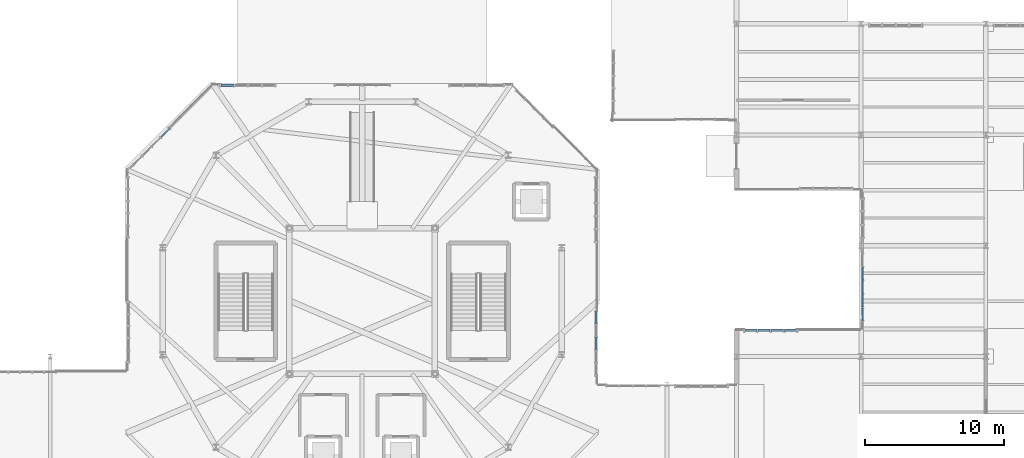
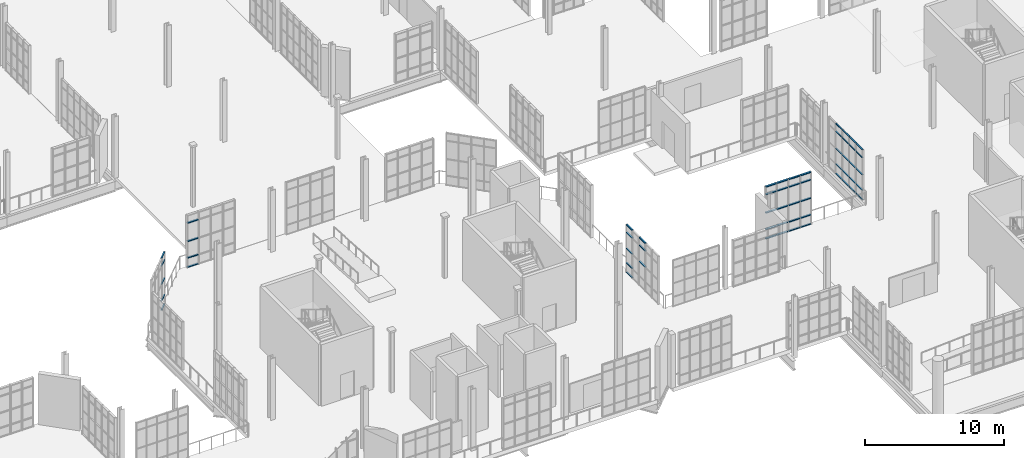
# One storey, part 124 of 189: 57 members, 5 elements without a shape of their own.
"""IFC4 building model written with IfcOpenShell, lengths in metres."""

from ifc_helpers import new_model, si_unit, direction, frame, origin, origin_2d, place, context, subcontext, project, spatial, hollow_rectangle, extrude, material, layer, layer_set, material_profile, profile_set, type_object, element, aggregate, save


model = new_model("IFC4")

# Units and contexts
model_context = context("Model", 3, precision=1e-05, world=origin(), true_north=direction((0.0, 1.0)))
body_context = subcontext(model_context, "Body", "Model", "MODEL_VIEW")
ifc_project = project(units=[si_unit("LENGTHUNIT", "METRE"), si_unit("AREAUNIT", "SQUARE_METRE"), si_unit("VOLUMEUNIT", "CUBIC_METRE"), si_unit("PLANEANGLEUNIT", "RADIAN"), si_unit("MASSUNIT", "GRAM", prefix="KILO"), si_unit("THERMODYNAMICTEMPERATUREUNIT", "KELVIN"), si_unit("POWERUNIT", "WATT")], contexts=[model_context])

# Site, building, storey
site_placement = place(None, origin())
site = spatial("IfcSite", under=ifc_project, at=site_placement, CompositionType="ELEMENT")
building_placement = place(site_placement, origin())
building = spatial("IfcBuilding", under=site, at=building_placement, Name="Zelmaris Science Centre", CompositionType="ELEMENT")
storey_placement = place(building_placement, origin())
storey = spatial("IfcBuildingStorey", under=building, at=storey_placement, Name="L00", CompositionType="ELEMENT", Elevation=0.0)

# Curtain wall, members
ifc_material = material(Name="Anodised architectural aluminium 6063-T6", Category="aluminium")
ifc_layer_1 = layer(ifc_material, 0.219970703125, Name="Anodised architectural aluminium 6063-T6")
ifc_layer_set_1 = layer_set([ifc_layer_1], Name="Anodised architectural aluminium 6063-T6")
curtain_wall_type_1 = type_object("IfcCurtainWallType", Name="Curtain Wall CW-04", PredefinedType="USERDEFINED", material=ifc_layer_set_1)
curtain_wall_1_placement = place(storey_placement, origin())
curtain_wall_1 = element("IfcCurtainWall", 1, at=curtain_wall_1_placement, inside=storey, type_object=curtain_wall_type_1, Name="L00 Unitised curtain wall 52", ObjectType="GLAZED CURTAIN WALL", PredefinedType="USERDEFINED")
ifc_material_profile_1 = material_profile(ifc_material, hollow_rectangle(XDim=0.06005859375, YDim=0.110107421875, WallThickness=0.0029296875, at=origin_2d()), Name="ALU-TRN-60X110")
ifc_profile_set_1 = profile_set([ifc_material_profile_1], Name="Anodised architectural aluminium 6063-T6")
member_type_1 = type_object("IfcMemberType", Name="ALU-TRN-60X110", PredefinedType="USERDEFINED", material=ifc_profile_set_1)
member_1_placement = place(storey_placement, frame((66.492431640625, 47.822021484375, 0.010986328125), z_axis=(0.707106781187, 0.707106781187, 0.0), x_axis=(0.0, 0.0, 1.0)))
member_1 = element("IfcMember", 2, at=member_1_placement, type_object=member_type_1, Name="CW-04 transom 4.1", ObjectType="TRANSOM", PredefinedType="USERDEFINED", context=body_context, shape_type="SweptSolid", body=[
    extrude(hollow_rectangle(XDim=0.06005859375, YDim=0.110107421875, WallThickness=0.0029296875, at=origin_2d()), origin(), (0.0, 0.0, 1.0), 0.868408203125),
])
member_2_placement = place(storey_placement, frame((66.492431640625, 47.822021484375, 0.8349609375), z_axis=(0.707106781187, 0.707106781187, 0.0), x_axis=(0.0, 0.0, 1.0)))
member_2 = element("IfcMember", 3, at=member_2_placement, type_object=member_type_1, Name="CW-04 transom 4.2", ObjectType="TRANSOM", PredefinedType="USERDEFINED", context=body_context, shape_type="SweptSolid", body=[
    extrude(hollow_rectangle(XDim=0.06005859375, YDim=0.110107421875, WallThickness=0.0029296875, at=origin_2d()), origin(), (0.0, 0.0, 1.0), 0.868408203125),
])
member_3_placement = place(storey_placement, frame((66.492431640625, 47.822021484375, 2.29248046875), z_axis=(0.707106781187, 0.707106781187, 0.0), x_axis=(0.0, 0.0, 1.0)))
member_3 = element("IfcMember", 4, at=member_3_placement, type_object=member_type_1, Name="CW-04 transom 4.3", ObjectType="TRANSOM", PredefinedType="USERDEFINED", context=body_context, shape_type="SweptSolid", body=[
    extrude(hollow_rectangle(XDim=0.06005859375, YDim=0.110107421875, WallThickness=0.0029296875, at=origin_2d()), origin(), (0.0, 0.0, 1.0), 0.868408203125),
])
member_4_placement = place(storey_placement, frame((66.492431640625, 47.822021484375, 3.89990234375), z_axis=(0.707106781187, 0.707106781187, 0.0), x_axis=(0.0, 0.0, 1.0)))
member_4 = element("IfcMember", 5, at=member_4_placement, type_object=member_type_1, Name="CW-04 transom 4.4", ObjectType="TRANSOM", PredefinedType="USERDEFINED", context=body_context, shape_type="SweptSolid", body=[
    extrude(hollow_rectangle(XDim=0.06005859375, YDim=0.110107421875, WallThickness=0.0029296875, at=origin_2d()), origin(), (0.0, 0.0, 1.0), 0.868408203125),
])
member_5_placement = place(storey_placement, frame((66.492431640625, 47.822021484375, 4.573974609375), z_axis=(0.707106781187, 0.707106781187, 0.0), x_axis=(0.0, 0.0, 1.0)))
member_5 = element("IfcMember", 6, at=member_5_placement, type_object=member_type_1, Name="CW-04 transom 4.5", ObjectType="TRANSOM", PredefinedType="USERDEFINED", context=body_context, shape_type="SweptSolid", body=[
    extrude(hollow_rectangle(XDim=0.06005859375, YDim=0.110107421875, WallThickness=0.0029296875, at=origin_2d()), origin(), (0.0, 0.0, 1.0), 0.868408203125),
])
aggregate(curtain_wall_1, [member_1, member_2, member_3, member_4, member_5])

curtain_wall_2_placement = place(storey_placement, origin())
curtain_wall_2 = element("IfcCurtainWall", 7, at=curtain_wall_2_placement, inside=storey, type_object=curtain_wall_type_1, Name="L00 Unitised curtain wall 68", ObjectType="GLAZED CURTAIN WALL", PredefinedType="USERDEFINED")
member_6_placement = place(storey_placement, frame((117.109619140625, 34.61865234375, 0.010986328125), z_axis=(-0.000271076162, 0.999999963259, 0.0), x_axis=(0.0, 0.0, 1.0)))
member_6 = element("IfcMember", 8, at=member_6_placement, type_object=member_type_1, Name="CW-04 transom 1.1", ObjectType="TRANSOM", PredefinedType="USERDEFINED", context=body_context, shape_type="SweptSolid", body=[
    extrude(hollow_rectangle(XDim=0.06005859375, YDim=0.110107421875, WallThickness=0.0029296875, at=origin_2d()), origin(), (0.0, 0.0, 1.0), 0.900634765625),
])
member_7_placement = place(storey_placement, frame((117.109619140625, 34.61865234375, 0.8349609375), z_axis=(-0.000271076162, 0.999999963259, 0.0), x_axis=(0.0, 0.0, 1.0)))
member_7 = element("IfcMember", 9, at=member_7_placement, type_object=member_type_1, Name="CW-04 transom 1.2", ObjectType="TRANSOM", PredefinedType="USERDEFINED", context=body_context, shape_type="SweptSolid", body=[
    extrude(hollow_rectangle(XDim=0.06005859375, YDim=0.110107421875, WallThickness=0.0029296875, at=origin_2d()), origin(), (0.0, 0.0, 1.0), 0.900634765625),
])
member_8_placement = place(storey_placement, frame((117.109619140625, 34.61865234375, 2.196044921875), z_axis=(-0.000271076162, 0.999999963259, 0.0), x_axis=(0.0, 0.0, 1.0)))
member_8 = element("IfcMember", 10, at=member_8_placement, type_object=member_type_1, Name="CW-04 transom 1.3", ObjectType="TRANSOM", PredefinedType="USERDEFINED", context=body_context, shape_type="SweptSolid", body=[
    extrude(hollow_rectangle(XDim=0.06005859375, YDim=0.110107421875, WallThickness=0.0029296875, at=origin_2d()), origin(), (0.0, 0.0, 1.0), 0.900634765625),
])
member_9_placement = place(storey_placement, frame((117.109619140625, 34.61865234375, 3.70703125), z_axis=(-0.000271076162, 0.999999963259, 0.0), x_axis=(0.0, 0.0, 1.0)))
member_9 = element("IfcMember", 11, at=member_9_placement, type_object=member_type_1, Name="CW-04 transom 1.4", ObjectType="TRANSOM", PredefinedType="USERDEFINED", context=body_context, shape_type="SweptSolid", body=[
    extrude(hollow_rectangle(XDim=0.06005859375, YDim=0.110107421875, WallThickness=0.0029296875, at=origin_2d()), origin(), (0.0, 0.0, 1.0), 0.900634765625),
])
member_10_placement = place(storey_placement, frame((117.109619140625, 34.61865234375, 4.381103515625), z_axis=(-0.000271076162, 0.999999963259, 0.0), x_axis=(0.0, 0.0, 1.0)))
member_10 = element("IfcMember", 12, at=member_10_placement, type_object=member_type_1, Name="CW-04 transom 1.5", ObjectType="TRANSOM", PredefinedType="USERDEFINED", context=body_context, shape_type="SweptSolid", body=[
    extrude(hollow_rectangle(XDim=0.06005859375, YDim=0.110107421875, WallThickness=0.0029296875, at=origin_2d()), origin(), (0.0, 0.0, 1.0), 0.900634765625),
])
member_11_placement = place(storey_placement, frame((117.109375, 35.5712890625, 0.010986328125), z_axis=(-0.000263435186, 0.999999965301, 0.0), x_axis=(0.0, 0.0, 1.0)))
member_11 = element("IfcMember", 13, at=member_11_placement, type_object=member_type_1, Name="CW-04 transom 2.1", ObjectType="TRANSOM", PredefinedType="USERDEFINED", context=body_context, shape_type="SweptSolid", body=[
    extrude(hollow_rectangle(XDim=0.06005859375, YDim=0.110107421875, WallThickness=0.0029296875, at=origin_2d()), origin(), (0.0, 0.0, 1.0), 0.9267578125),
])
member_12_placement = place(storey_placement, frame((117.109375, 35.5712890625, 0.8349609375), z_axis=(-0.000263435186, 0.999999965301, 0.0), x_axis=(0.0, 0.0, 1.0)))
member_12 = element("IfcMember", 14, at=member_12_placement, type_object=member_type_1, Name="CW-04 transom 2.2", ObjectType="TRANSOM", PredefinedType="USERDEFINED", context=body_context, shape_type="SweptSolid", body=[
    extrude(hollow_rectangle(XDim=0.06005859375, YDim=0.110107421875, WallThickness=0.0029296875, at=origin_2d()), origin(), (0.0, 0.0, 1.0), 0.9267578125),
])
member_13_placement = place(storey_placement, frame((117.109375, 35.5712890625, 2.196044921875), z_axis=(-0.000263435186, 0.999999965301, 0.0), x_axis=(0.0, 0.0, 1.0)))
member_13 = element("IfcMember", 15, at=member_13_placement, type_object=member_type_1, Name="CW-04 transom 2.3", ObjectType="TRANSOM", PredefinedType="USERDEFINED", context=body_context, shape_type="SweptSolid", body=[
    extrude(hollow_rectangle(XDim=0.06005859375, YDim=0.110107421875, WallThickness=0.0029296875, at=origin_2d()), origin(), (0.0, 0.0, 1.0), 0.9267578125),
])
member_14_placement = place(storey_placement, frame((117.109375, 35.5712890625, 3.70703125), z_axis=(-0.000263435186, 0.999999965301, 0.0), x_axis=(0.0, 0.0, 1.0)))
member_14 = element("IfcMember", 16, at=member_14_placement, type_object=member_type_1, Name="CW-04 transom 2.4", ObjectType="TRANSOM", PredefinedType="USERDEFINED", context=body_context, shape_type="SweptSolid", body=[
    extrude(hollow_rectangle(XDim=0.06005859375, YDim=0.110107421875, WallThickness=0.0029296875, at=origin_2d()), origin(), (0.0, 0.0, 1.0), 0.9267578125),
])
member_15_placement = place(storey_placement, frame((117.109375, 35.5712890625, 4.381103515625), z_axis=(-0.000263435186, 0.999999965301, 0.0), x_axis=(0.0, 0.0, 1.0)))
member_15 = element("IfcMember", 17, at=member_15_placement, type_object=member_type_1, Name="CW-04 transom 2.5", ObjectType="TRANSOM", PredefinedType="USERDEFINED", context=body_context, shape_type="SweptSolid", body=[
    extrude(hollow_rectangle(XDim=0.06005859375, YDim=0.110107421875, WallThickness=0.0029296875, at=origin_2d()), origin(), (0.0, 0.0, 1.0), 0.9267578125),
])
member_16_placement = place(storey_placement, frame((117.109130859375, 36.550048828125, 0.010986328125), z_axis=(-0.000527009149, 0.999999861131, 0.0), x_axis=(0.0, 0.0, 1.0)))
member_16 = element("IfcMember", 18, at=member_16_placement, type_object=member_type_1, Name="CW-04 transom 3.1", ObjectType="TRANSOM", PredefinedType="USERDEFINED", context=body_context, shape_type="SweptSolid", body=[
    extrude(hollow_rectangle(XDim=0.06005859375, YDim=0.110107421875, WallThickness=0.0029296875, at=origin_2d()), origin(), (0.0, 0.0, 1.0), 0.926513671875),
])
member_17_placement = place(storey_placement, frame((117.109130859375, 36.550048828125, 0.8349609375), z_axis=(-0.000527009149, 0.999999861131, 0.0), x_axis=(0.0, 0.0, 1.0)))
member_17 = element("IfcMember", 19, at=member_17_placement, type_object=member_type_1, Name="CW-04 transom 3.2", ObjectType="TRANSOM", PredefinedType="USERDEFINED", context=body_context, shape_type="SweptSolid", body=[
    extrude(hollow_rectangle(XDim=0.06005859375, YDim=0.110107421875, WallThickness=0.0029296875, at=origin_2d()), origin(), (0.0, 0.0, 1.0), 0.926513671875),
])
member_18_placement = place(storey_placement, frame((117.109130859375, 36.550048828125, 2.196044921875), z_axis=(-0.000527009149, 0.999999861131, 0.0), x_axis=(0.0, 0.0, 1.0)))
member_18 = element("IfcMember", 20, at=member_18_placement, type_object=member_type_1, Name="CW-04 transom 3.3", ObjectType="TRANSOM", PredefinedType="USERDEFINED", context=body_context, shape_type="SweptSolid", body=[
    extrude(hollow_rectangle(XDim=0.06005859375, YDim=0.110107421875, WallThickness=0.0029296875, at=origin_2d()), origin(), (0.0, 0.0, 1.0), 0.926513671875),
])
member_19_placement = place(storey_placement, frame((117.109130859375, 36.550048828125, 3.70703125), z_axis=(-0.000527009149, 0.999999861131, 0.0), x_axis=(0.0, 0.0, 1.0)))
member_19 = element("IfcMember", 21, at=member_19_placement, type_object=member_type_1, Name="CW-04 transom 3.4", ObjectType="TRANSOM", PredefinedType="USERDEFINED", context=body_context, shape_type="SweptSolid", body=[
    extrude(hollow_rectangle(XDim=0.06005859375, YDim=0.110107421875, WallThickness=0.0029296875, at=origin_2d()), origin(), (0.0, 0.0, 1.0), 0.926513671875),
])
member_20_placement = place(storey_placement, frame((117.109130859375, 36.550048828125, 4.381103515625), z_axis=(-0.000527009149, 0.999999861131, 0.0), x_axis=(0.0, 0.0, 1.0)))
member_20 = element("IfcMember", 22, at=member_20_placement, type_object=member_type_1, Name="CW-04 transom 3.5", ObjectType="TRANSOM", PredefinedType="USERDEFINED", context=body_context, shape_type="SweptSolid", body=[
    extrude(hollow_rectangle(XDim=0.06005859375, YDim=0.110107421875, WallThickness=0.0029296875, at=origin_2d()), origin(), (0.0, 0.0, 1.0), 0.926513671875),
])
member_21_placement = place(storey_placement, frame((117.108642578125, 37.528564453125, 0.010986328125), z_axis=(-0.000263435186, 0.999999965301, 0.0), x_axis=(0.0, 0.0, 1.0)))
member_21 = element("IfcMember", 23, at=member_21_placement, type_object=member_type_1, Name="CW-04 transom 4.1", ObjectType="TRANSOM", PredefinedType="USERDEFINED", context=body_context, shape_type="SweptSolid", body=[
    extrude(hollow_rectangle(XDim=0.06005859375, YDim=0.110107421875, WallThickness=0.0029296875, at=origin_2d()), origin(), (0.0, 0.0, 1.0), 0.9267578125),
])
member_22_placement = place(storey_placement, frame((117.108642578125, 37.528564453125, 0.8349609375), z_axis=(-0.000263435186, 0.999999965301, 0.0), x_axis=(0.0, 0.0, 1.0)))
member_22 = element("IfcMember", 24, at=member_22_placement, type_object=member_type_1, Name="CW-04 transom 4.2", ObjectType="TRANSOM", PredefinedType="USERDEFINED", context=body_context, shape_type="SweptSolid", body=[
    extrude(hollow_rectangle(XDim=0.06005859375, YDim=0.110107421875, WallThickness=0.0029296875, at=origin_2d()), origin(), (0.0, 0.0, 1.0), 0.9267578125),
])
member_23_placement = place(storey_placement, frame((117.108642578125, 37.528564453125, 2.196044921875), z_axis=(-0.000263435186, 0.999999965301, 0.0), x_axis=(0.0, 0.0, 1.0)))
member_23 = element("IfcMember", 25, at=member_23_placement, type_object=member_type_1, Name="CW-04 transom 4.3", ObjectType="TRANSOM", PredefinedType="USERDEFINED", context=body_context, shape_type="SweptSolid", body=[
    extrude(hollow_rectangle(XDim=0.06005859375, YDim=0.110107421875, WallThickness=0.0029296875, at=origin_2d()), origin(), (0.0, 0.0, 1.0), 0.9267578125),
])
member_24_placement = place(storey_placement, frame((117.108642578125, 37.528564453125, 3.70703125), z_axis=(-0.000263435186, 0.999999965301, 0.0), x_axis=(0.0, 0.0, 1.0)))
member_24 = element("IfcMember", 26, at=member_24_placement, type_object=member_type_1, Name="CW-04 transom 4.4", ObjectType="TRANSOM", PredefinedType="USERDEFINED", context=body_context, shape_type="SweptSolid", body=[
    extrude(hollow_rectangle(XDim=0.06005859375, YDim=0.110107421875, WallThickness=0.0029296875, at=origin_2d()), origin(), (0.0, 0.0, 1.0), 0.9267578125),
])
member_25_placement = place(storey_placement, frame((117.108642578125, 37.528564453125, 4.381103515625), z_axis=(-0.000263435186, 0.999999965301, 0.0), x_axis=(0.0, 0.0, 1.0)))
member_25 = element("IfcMember", 27, at=member_25_placement, type_object=member_type_1, Name="CW-04 transom 4.5", ObjectType="TRANSOM", PredefinedType="USERDEFINED", context=body_context, shape_type="SweptSolid", body=[
    extrude(hollow_rectangle(XDim=0.06005859375, YDim=0.110107421875, WallThickness=0.0029296875, at=origin_2d()), origin(), (0.0, 0.0, 1.0), 0.9267578125),
])
aggregate(curtain_wall_2, [member_6, member_7, member_8, member_9, member_10, member_11, member_12, member_13, member_14, member_15, member_16, member_17, member_18, member_19, member_20, member_21, member_22, member_23, member_24, member_25])

ifc_layer_2 = layer(ifc_material, 0.2099609375, Name="Anodised architectural aluminium 6063-T6")
ifc_layer_set_2 = layer_set([ifc_layer_2], Name="Anodised architectural aluminium 6063-T6")
curtain_wall_type_2 = type_object("IfcCurtainWallType", Name="Curtain Wall CW-03", PredefinedType="USERDEFINED", material=ifc_layer_set_2)
curtain_wall_3_placement = place(storey_placement, origin())
curtain_wall_3 = element("IfcCurtainWall", 28, at=curtain_wall_3_placement, inside=storey, type_object=curtain_wall_type_2, Name="L00 Unitised curtain wall 63", ObjectType="GLAZED CURTAIN WALL", PredefinedType="USERDEFINED")
ifc_material_profile_2 = material_profile(ifc_material, hollow_rectangle(XDim=0.06494140625, YDim=0.1298828125, WallThickness=0.00341796875, at=origin_2d()), Name="ALU-TRN-65X130")
ifc_profile_set_2 = profile_set([ifc_material_profile_2], Name="Anodised architectural aluminium 6063-T6")
member_type_2 = type_object("IfcMemberType", Name="ALU-TRN-65X130", PredefinedType="USERDEFINED", material=ifc_profile_set_2)
member_26_placement = place(storey_placement, frame((97.8798828125, 35.249755859375, 0.013427734375), z_axis=(0.0, -1.0, 0.0), x_axis=(0.0, 0.0, 1.0)))
member_26 = element("IfcMember", 29, at=member_26_placement, type_object=member_type_2, Name="CW-03 transom 1.1", ObjectType="TRANSOM", PredefinedType="USERDEFINED", context=body_context, shape_type="SweptSolid", body=[
    extrude(hollow_rectangle(XDim=0.06494140625, YDim=0.1298828125, WallThickness=0.00341796875, at=origin_2d()), origin(), (0.0, 0.0, 1.0), 0.85595703125),
])
member_27_placement = place(storey_placement, frame((97.8798828125, 35.249755859375, 0.8349609375), z_axis=(0.0, -1.0, 0.0), x_axis=(0.0, 0.0, 1.0)))
member_27 = element("IfcMember", 30, at=member_27_placement, type_object=member_type_2, Name="CW-03 transom 1.2", ObjectType="TRANSOM", PredefinedType="USERDEFINED", context=body_context, shape_type="SweptSolid", body=[
    extrude(hollow_rectangle(XDim=0.06494140625, YDim=0.1298828125, WallThickness=0.00341796875, at=origin_2d()), origin(), (0.0, 0.0, 1.0), 0.85595703125),
])
member_28_placement = place(storey_placement, frame((97.8798828125, 35.249755859375, 2.096923828125), z_axis=(0.0, -1.0, 0.0), x_axis=(0.0, 0.0, 1.0)))
member_28 = element("IfcMember", 31, at=member_28_placement, type_object=member_type_2, Name="CW-03 transom 1.3", ObjectType="TRANSOM", PredefinedType="USERDEFINED", context=body_context, shape_type="SweptSolid", body=[
    extrude(hollow_rectangle(XDim=0.06494140625, YDim=0.1298828125, WallThickness=0.00341796875, at=origin_2d()), origin(), (0.0, 0.0, 1.0), 0.85595703125),
])
member_29_placement = place(storey_placement, frame((97.8798828125, 35.249755859375, 3.509033203125), z_axis=(0.0, -1.0, 0.0), x_axis=(0.0, 0.0, 1.0)))
member_29 = element("IfcMember", 32, at=member_29_placement, type_object=member_type_2, Name="CW-03 transom 1.4", ObjectType="TRANSOM", PredefinedType="USERDEFINED", context=body_context, shape_type="SweptSolid", body=[
    extrude(hollow_rectangle(XDim=0.06494140625, YDim=0.1298828125, WallThickness=0.00341796875, at=origin_2d()), origin(), (0.0, 0.0, 1.0), 0.85595703125),
])
member_30_placement = place(storey_placement, frame((97.8798828125, 35.249755859375, 4.180419921875), z_axis=(0.0, -1.0, 0.0), x_axis=(0.0, 0.0, 1.0)))
member_30 = element("IfcMember", 33, at=member_30_placement, type_object=member_type_2, Name="CW-03 transom 1.5", ObjectType="TRANSOM", PredefinedType="USERDEFINED", context=body_context, shape_type="SweptSolid", body=[
    extrude(hollow_rectangle(XDim=0.06494140625, YDim=0.1298828125, WallThickness=0.00341796875, at=origin_2d()), origin(), (0.0, 0.0, 1.0), 0.85595703125),
])
member_31_placement = place(storey_placement, frame((97.8798828125, 33.3955078125, 2.096923828125), z_axis=(0.0, -1.0, 0.0), x_axis=(0.0, 0.0, 1.0)))
member_31 = element("IfcMember", 34, at=member_31_placement, type_object=member_type_2, Name="CW-03 transom 3.3", ObjectType="TRANSOM", PredefinedType="USERDEFINED", context=body_context, shape_type="SweptSolid", body=[
    extrude(hollow_rectangle(XDim=0.06494140625, YDim=0.1298828125, WallThickness=0.00341796875, at=origin_2d()), origin(), (0.0, 0.0, 1.0), 0.88427734375),
])
member_32_placement = place(storey_placement, frame((97.8798828125, 33.3955078125, 3.509033203125), z_axis=(0.0, -1.0, 0.0), x_axis=(0.0, 0.0, 1.0)))
member_32 = element("IfcMember", 35, at=member_32_placement, type_object=member_type_2, Name="CW-03 transom 3.4", ObjectType="TRANSOM", PredefinedType="USERDEFINED", context=body_context, shape_type="SweptSolid", body=[
    extrude(hollow_rectangle(XDim=0.06494140625, YDim=0.1298828125, WallThickness=0.00341796875, at=origin_2d()), origin(), (0.0, 0.0, 1.0), 0.88427734375),
])
member_33_placement = place(storey_placement, frame((97.8798828125, 33.3955078125, 4.180419921875), z_axis=(0.0, -1.0, 0.0), x_axis=(0.0, 0.0, 1.0)))
member_33 = element("IfcMember", 36, at=member_33_placement, type_object=member_type_2, Name="CW-03 transom 3.5", ObjectType="TRANSOM", PredefinedType="USERDEFINED", context=body_context, shape_type="SweptSolid", body=[
    extrude(hollow_rectangle(XDim=0.06494140625, YDim=0.1298828125, WallThickness=0.00341796875, at=origin_2d()), origin(), (0.0, 0.0, 1.0), 0.88427734375),
])
aggregate(curtain_wall_3, [member_26, member_27, member_28, member_29, member_30, member_31, member_32, member_33])

ifc_layer_3 = layer(ifc_material, 0.199951171875, Name="Anodised architectural aluminium 6063-T6")
ifc_layer_set_3 = layer_set([ifc_layer_3], Name="Anodised architectural aluminium 6063-T6")
curtain_wall_type_3 = type_object("IfcCurtainWallType", Name="Curtain Wall CW-02", PredefinedType="USERDEFINED", material=ifc_layer_set_3)
curtain_wall_4_placement = place(storey_placement, origin())
curtain_wall_4 = element("IfcCurtainWall", 37, at=curtain_wall_4_placement, inside=storey, type_object=curtain_wall_type_3, Name="L00 Unitised curtain wall 54", ObjectType="GLAZED CURTAIN WALL", PredefinedType="USERDEFINED")
ifc_material_profile_3 = material_profile(ifc_material, hollow_rectangle(XDim=0.074951171875, YDim=0.159912109375, WallThickness=0.00390625, at=origin_2d()), Name="ALU-TRN-75X160")
ifc_profile_set_3 = profile_set([ifc_material_profile_3], Name="Anodised architectural aluminium 6063-T6")
member_type_3 = type_object("IfcMemberType", Name="ALU-TRN-75X160", PredefinedType="USERDEFINED", material=ifc_profile_set_3)
member_34_placement = place(storey_placement, frame((70.80859375, 51.580078125, 0.0185546875), z_axis=(1.0, 0.0, 0.0), x_axis=(0.0, 0.0, 1.0)))
member_34 = element("IfcMember", 38, at=member_34_placement, type_object=member_type_3, Name="CW-02 transom 1.1", ObjectType="TRANSOM", PredefinedType="USERDEFINED", context=body_context, shape_type="SweptSolid", body=[
    extrude(hollow_rectangle(XDim=0.074951171875, YDim=0.159912109375, WallThickness=0.00390625, at=origin_2d()), origin(), (0.0, 0.0, 1.0), 0.9013671875),
])
member_35_placement = place(storey_placement, frame((70.80859375, 51.580078125, 0.8349609375), z_axis=(1.0, 0.0, 0.0), x_axis=(0.0, 0.0, 1.0)))
member_35 = element("IfcMember", 39, at=member_35_placement, type_object=member_type_3, Name="CW-02 transom 1.2", ObjectType="TRANSOM", PredefinedType="USERDEFINED", context=body_context, shape_type="SweptSolid", body=[
    extrude(hollow_rectangle(XDim=0.074951171875, YDim=0.159912109375, WallThickness=0.00390625, at=origin_2d()), origin(), (0.0, 0.0, 1.0), 0.9013671875),
])
member_36_placement = place(storey_placement, frame((70.80859375, 51.580078125, 2.29248046875), z_axis=(1.0, 0.0, 0.0), x_axis=(0.0, 0.0, 1.0)))
member_36 = element("IfcMember", 40, at=member_36_placement, type_object=member_type_3, Name="CW-02 transom 1.3", ObjectType="TRANSOM", PredefinedType="USERDEFINED", context=body_context, shape_type="SweptSolid", body=[
    extrude(hollow_rectangle(XDim=0.074951171875, YDim=0.159912109375, WallThickness=0.00390625, at=origin_2d()), origin(), (0.0, 0.0, 1.0), 0.9013671875),
])
member_37_placement = place(storey_placement, frame((70.80859375, 51.580078125, 3.89990234375), z_axis=(1.0, 0.0, 0.0), x_axis=(0.0, 0.0, 1.0)))
member_37 = element("IfcMember", 41, at=member_37_placement, type_object=member_type_3, Name="CW-02 transom 1.4", ObjectType="TRANSOM", PredefinedType="USERDEFINED", context=body_context, shape_type="SweptSolid", body=[
    extrude(hollow_rectangle(XDim=0.074951171875, YDim=0.159912109375, WallThickness=0.00390625, at=origin_2d()), origin(), (0.0, 0.0, 1.0), 0.9013671875),
])
aggregate(curtain_wall_4, [member_34, member_35, member_36, member_37])

curtain_wall_5_placement = place(storey_placement, origin())
curtain_wall_5 = element("IfcCurtainWall", 42, at=curtain_wall_5_placement, inside=storey, type_object=curtain_wall_type_3, Name="L00 Unitised curtain wall 66", ObjectType="GLAZED CURTAIN WALL", PredefinedType="USERDEFINED")
member_38_placement = place(storey_placement, frame((108.607177734375, 33.8798828125, 0.0185546875), z_axis=(1.0, 0.0, 0.0), x_axis=(0.0, 0.0, 1.0)))
member_38 = element("IfcMember", 43, at=member_38_placement, type_object=member_type_3, Name="CW-02 transom 1.1", ObjectType="TRANSOM", PredefinedType="USERDEFINED", context=body_context, shape_type="SweptSolid", body=[
    extrude(hollow_rectangle(XDim=0.074951171875, YDim=0.159912109375, WallThickness=0.00390625, at=origin_2d()), origin(), (0.0, 0.0, 1.0), 0.866943359375),
])
member_39_placement = place(storey_placement, frame((108.607177734375, 33.8798828125, 0.8349609375), z_axis=(1.0, 0.0, 0.0), x_axis=(0.0, 0.0, 1.0)))
member_39 = element("IfcMember", 44, at=member_39_placement, type_object=member_type_3, Name="CW-02 transom 1.2", ObjectType="TRANSOM", PredefinedType="USERDEFINED", context=body_context, shape_type="SweptSolid", body=[
    extrude(hollow_rectangle(XDim=0.074951171875, YDim=0.159912109375, WallThickness=0.00390625, at=origin_2d()), origin(), (0.0, 0.0, 1.0), 0.866943359375),
])
member_40_placement = place(storey_placement, frame((108.607177734375, 33.8798828125, 2.29248046875), z_axis=(1.0, 0.0, 0.0), x_axis=(0.0, 0.0, 1.0)))
member_40 = element("IfcMember", 45, at=member_40_placement, type_object=member_type_3, Name="CW-02 transom 1.3", ObjectType="TRANSOM", PredefinedType="USERDEFINED", context=body_context, shape_type="SweptSolid", body=[
    extrude(hollow_rectangle(XDim=0.074951171875, YDim=0.159912109375, WallThickness=0.00390625, at=origin_2d()), origin(), (0.0, 0.0, 1.0), 0.866943359375),
])
member_41_placement = place(storey_placement, frame((108.607177734375, 33.8798828125, 3.89990234375), z_axis=(1.0, 0.0, 0.0), x_axis=(0.0, 0.0, 1.0)))
member_41 = element("IfcMember", 46, at=member_41_placement, type_object=member_type_3, Name="CW-02 transom 1.4", ObjectType="TRANSOM", PredefinedType="USERDEFINED", context=body_context, shape_type="SweptSolid", body=[
    extrude(hollow_rectangle(XDim=0.074951171875, YDim=0.159912109375, WallThickness=0.00390625, at=origin_2d()), origin(), (0.0, 0.0, 1.0), 0.866943359375),
])
member_42_placement = place(storey_placement, frame((108.607177734375, 33.8798828125, 4.56640625), z_axis=(1.0, 0.0, 0.0), x_axis=(0.0, 0.0, 1.0)))
member_42 = element("IfcMember", 47, at=member_42_placement, type_object=member_type_3, Name="CW-02 transom 1.5", ObjectType="TRANSOM", PredefinedType="USERDEFINED", context=body_context, shape_type="SweptSolid", body=[
    extrude(hollow_rectangle(XDim=0.074951171875, YDim=0.159912109375, WallThickness=0.00390625, at=origin_2d()), origin(), (0.0, 0.0, 1.0), 0.866943359375),
])
member_43_placement = place(storey_placement, frame((109.541015625, 33.8798828125, 0.0185546875), z_axis=(1.0, 0.0, 0.0), x_axis=(0.0, 0.0, 1.0)))
member_43 = element("IfcMember", 48, at=member_43_placement, type_object=member_type_3, Name="CW-02 transom 2.1", ObjectType="TRANSOM", PredefinedType="USERDEFINED", context=body_context, shape_type="SweptSolid", body=[
    extrude(hollow_rectangle(XDim=0.074951171875, YDim=0.159912109375, WallThickness=0.00390625, at=origin_2d()), origin(), (0.0, 0.0, 1.0), 0.900634765625),
])
member_44_placement = place(storey_placement, frame((109.541015625, 33.8798828125, 0.8349609375), z_axis=(1.0, 0.0, 0.0), x_axis=(0.0, 0.0, 1.0)))
member_44 = element("IfcMember", 49, at=member_44_placement, type_object=member_type_3, Name="CW-02 transom 2.2", ObjectType="TRANSOM", PredefinedType="USERDEFINED", context=body_context, shape_type="SweptSolid", body=[
    extrude(hollow_rectangle(XDim=0.074951171875, YDim=0.159912109375, WallThickness=0.00390625, at=origin_2d()), origin(), (0.0, 0.0, 1.0), 0.900634765625),
])
member_45_placement = place(storey_placement, frame((109.541015625, 33.8798828125, 2.29248046875), z_axis=(1.0, 0.0, 0.0), x_axis=(0.0, 0.0, 1.0)))
member_45 = element("IfcMember", 50, at=member_45_placement, type_object=member_type_3, Name="CW-02 transom 2.3", ObjectType="TRANSOM", PredefinedType="USERDEFINED", context=body_context, shape_type="SweptSolid", body=[
    extrude(hollow_rectangle(XDim=0.074951171875, YDim=0.159912109375, WallThickness=0.00390625, at=origin_2d()), origin(), (0.0, 0.0, 1.0), 0.900634765625),
])
member_46_placement = place(storey_placement, frame((109.541015625, 33.8798828125, 3.89990234375), z_axis=(1.0, 0.0, 0.0), x_axis=(0.0, 0.0, 1.0)))
member_46 = element("IfcMember", 51, at=member_46_placement, type_object=member_type_3, Name="CW-02 transom 2.4", ObjectType="TRANSOM", PredefinedType="USERDEFINED", context=body_context, shape_type="SweptSolid", body=[
    extrude(hollow_rectangle(XDim=0.074951171875, YDim=0.159912109375, WallThickness=0.00390625, at=origin_2d()), origin(), (0.0, 0.0, 1.0), 0.900634765625),
])
member_47_placement = place(storey_placement, frame((109.541015625, 33.8798828125, 4.56640625), z_axis=(1.0, 0.0, 0.0), x_axis=(0.0, 0.0, 1.0)))
member_47 = element("IfcMember", 52, at=member_47_placement, type_object=member_type_3, Name="CW-02 transom 2.5", ObjectType="TRANSOM", PredefinedType="USERDEFINED", context=body_context, shape_type="SweptSolid", body=[
    extrude(hollow_rectangle(XDim=0.074951171875, YDim=0.159912109375, WallThickness=0.00390625, at=origin_2d()), origin(), (0.0, 0.0, 1.0), 0.900634765625),
])
member_48_placement = place(storey_placement, frame((110.508544921875, 33.8798828125, 0.0185546875), z_axis=(1.0, 0.0, 0.0), x_axis=(0.0, 0.0, 1.0)))
member_48 = element("IfcMember", 53, at=member_48_placement, type_object=member_type_3, Name="CW-02 transom 3.1", ObjectType="TRANSOM", PredefinedType="USERDEFINED", context=body_context, shape_type="SweptSolid", body=[
    extrude(hollow_rectangle(XDim=0.074951171875, YDim=0.159912109375, WallThickness=0.00390625, at=origin_2d()), origin(), (0.0, 0.0, 1.0), 0.900390625),
])
member_49_placement = place(storey_placement, frame((110.508544921875, 33.8798828125, 0.8349609375), z_axis=(1.0, 0.0, 0.0), x_axis=(0.0, 0.0, 1.0)))
member_49 = element("IfcMember", 54, at=member_49_placement, type_object=member_type_3, Name="CW-02 transom 3.2", ObjectType="TRANSOM", PredefinedType="USERDEFINED", context=body_context, shape_type="SweptSolid", body=[
    extrude(hollow_rectangle(XDim=0.074951171875, YDim=0.159912109375, WallThickness=0.00390625, at=origin_2d()), origin(), (0.0, 0.0, 1.0), 0.900390625),
])
member_50_placement = place(storey_placement, frame((110.508544921875, 33.8798828125, 2.29248046875), z_axis=(1.0, 0.0, 0.0), x_axis=(0.0, 0.0, 1.0)))
member_50 = element("IfcMember", 55, at=member_50_placement, type_object=member_type_3, Name="CW-02 transom 3.3", ObjectType="TRANSOM", PredefinedType="USERDEFINED", context=body_context, shape_type="SweptSolid", body=[
    extrude(hollow_rectangle(XDim=0.074951171875, YDim=0.159912109375, WallThickness=0.00390625, at=origin_2d()), origin(), (0.0, 0.0, 1.0), 0.900390625),
])
member_51_placement = place(storey_placement, frame((110.508544921875, 33.8798828125, 3.89990234375), z_axis=(1.0, 0.0, 0.0), x_axis=(0.0, 0.0, 1.0)))
member_51 = element("IfcMember", 56, at=member_51_placement, type_object=member_type_3, Name="CW-02 transom 3.4", ObjectType="TRANSOM", PredefinedType="USERDEFINED", context=body_context, shape_type="SweptSolid", body=[
    extrude(hollow_rectangle(XDim=0.074951171875, YDim=0.159912109375, WallThickness=0.00390625, at=origin_2d()), origin(), (0.0, 0.0, 1.0), 0.900390625),
])
member_52_placement = place(storey_placement, frame((110.508544921875, 33.8798828125, 4.56640625), z_axis=(1.0, 0.0, 0.0), x_axis=(0.0, 0.0, 1.0)))
member_52 = element("IfcMember", 57, at=member_52_placement, type_object=member_type_3, Name="CW-02 transom 3.5", ObjectType="TRANSOM", PredefinedType="USERDEFINED", context=body_context, shape_type="SweptSolid", body=[
    extrude(hollow_rectangle(XDim=0.074951171875, YDim=0.159912109375, WallThickness=0.00390625, at=origin_2d()), origin(), (0.0, 0.0, 1.0), 0.900390625),
])
member_53_placement = place(storey_placement, frame((111.47607421875, 33.8798828125, 0.0185546875), z_axis=(1.0, 0.0, 0.0), x_axis=(0.0, 0.0, 1.0)))
member_53 = element("IfcMember", 58, at=member_53_placement, type_object=member_type_3, Name="CW-02 transom 4.1", ObjectType="TRANSOM", PredefinedType="USERDEFINED", context=body_context, shape_type="SweptSolid", body=[
    extrude(hollow_rectangle(XDim=0.074951171875, YDim=0.159912109375, WallThickness=0.00390625, at=origin_2d()), origin(), (0.0, 0.0, 1.0), 0.866943359375),
])
member_54_placement = place(storey_placement, frame((111.47607421875, 33.8798828125, 0.8349609375), z_axis=(1.0, 0.0, 0.0), x_axis=(0.0, 0.0, 1.0)))
member_54 = element("IfcMember", 59, at=member_54_placement, type_object=member_type_3, Name="CW-02 transom 4.2", ObjectType="TRANSOM", PredefinedType="USERDEFINED", context=body_context, shape_type="SweptSolid", body=[
    extrude(hollow_rectangle(XDim=0.074951171875, YDim=0.159912109375, WallThickness=0.00390625, at=origin_2d()), origin(), (0.0, 0.0, 1.0), 0.866943359375),
])
member_55_placement = place(storey_placement, frame((111.47607421875, 33.8798828125, 2.29248046875), z_axis=(1.0, 0.0, 0.0), x_axis=(0.0, 0.0, 1.0)))
member_55 = element("IfcMember", 60, at=member_55_placement, type_object=member_type_3, Name="CW-02 transom 4.3", ObjectType="TRANSOM", PredefinedType="USERDEFINED", context=body_context, shape_type="SweptSolid", body=[
    extrude(hollow_rectangle(XDim=0.074951171875, YDim=0.159912109375, WallThickness=0.00390625, at=origin_2d()), origin(), (0.0, 0.0, 1.0), 0.866943359375),
])
member_56_placement = place(storey_placement, frame((111.47607421875, 33.8798828125, 3.89990234375), z_axis=(1.0, 0.0, 0.0), x_axis=(0.0, 0.0, 1.0)))
member_56 = element("IfcMember", 61, at=member_56_placement, type_object=member_type_3, Name="CW-02 transom 4.4", ObjectType="TRANSOM", PredefinedType="USERDEFINED", context=body_context, shape_type="SweptSolid", body=[
    extrude(hollow_rectangle(XDim=0.074951171875, YDim=0.159912109375, WallThickness=0.00390625, at=origin_2d()), origin(), (0.0, 0.0, 1.0), 0.866943359375),
])
member_57_placement = place(storey_placement, frame((111.47607421875, 33.8798828125, 4.56640625), z_axis=(1.0, 0.0, 0.0), x_axis=(0.0, 0.0, 1.0)))
member_57 = element("IfcMember", 62, at=member_57_placement, type_object=member_type_3, Name="CW-02 transom 4.5", ObjectType="TRANSOM", PredefinedType="USERDEFINED", context=body_context, shape_type="SweptSolid", body=[
    extrude(hollow_rectangle(XDim=0.074951171875, YDim=0.159912109375, WallThickness=0.00390625, at=origin_2d()), origin(), (0.0, 0.0, 1.0), 0.866943359375),
])
aggregate(curtain_wall_5, [member_38, member_39, member_40, member_41, member_42, member_43, member_44, member_45, member_46, member_47, member_48, member_49, member_50, member_51, member_52, member_53, member_54, member_55, member_56, member_57])

save(model, "model.ifc")
